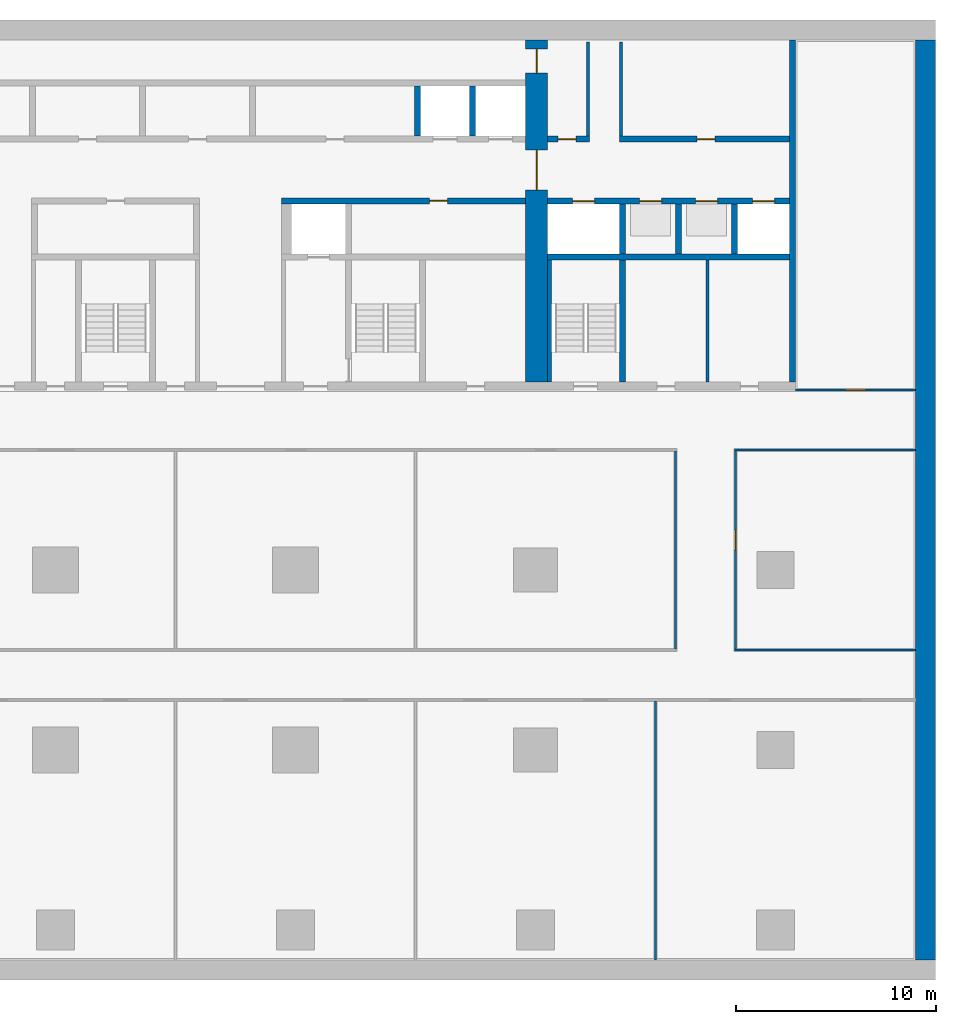
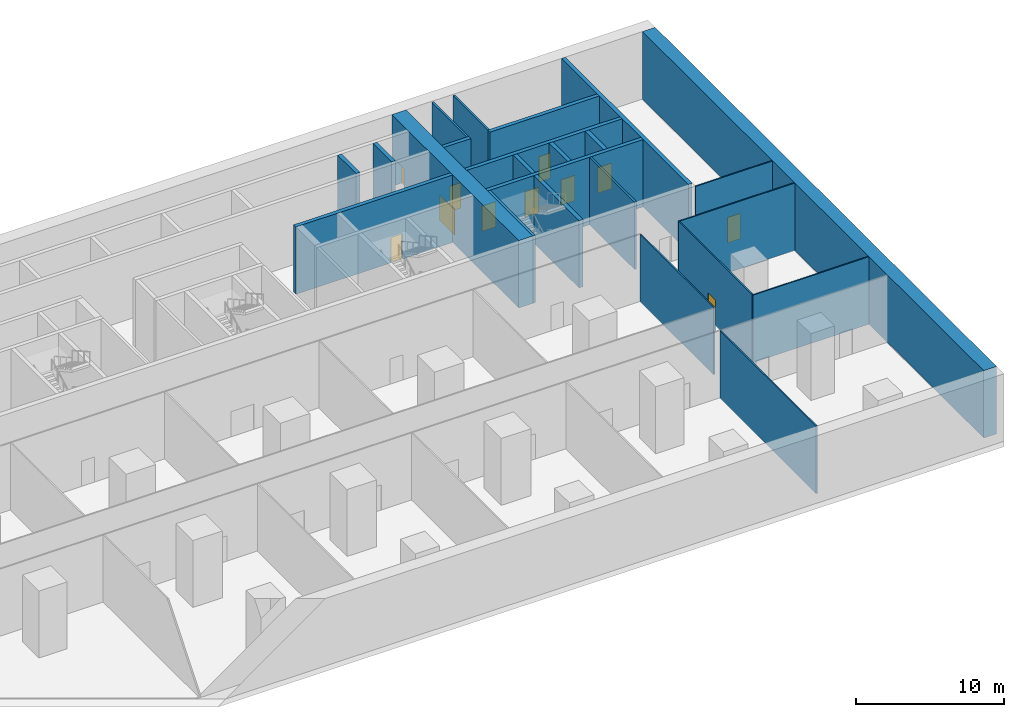
# One storey, part 6 of 10: 24 walls, 11 doors, 11 openings.
"""IFC4 building model written with IfcOpenShell, lengths in metres."""

from ifc_helpers import new_model, si_unit, direction, frame, frame_2d, origin, place, context, subcontext, project, spatial, rectangle, extrude, material, layer, layer_set, type_object, element, fill, save


model = new_model("IFC4")

# Units and contexts
model_context = context("Model", 3, precision=1e-05, world=origin(), true_north=direction((0.0, 1.0)))
body_context = subcontext(model_context, "Body", "Model", "MODEL_VIEW")
ifc_project = project(units=[si_unit("LENGTHUNIT", "METRE"), si_unit("AREAUNIT", "SQUARE_METRE"), si_unit("VOLUMEUNIT", "CUBIC_METRE"), si_unit("PLANEANGLEUNIT", "RADIAN"), si_unit("MASSUNIT", "GRAM", prefix="KILO")], contexts=[model_context])

# Site, building, storey
site_placement = place(None, origin())
site = spatial("IfcSite", under=ifc_project, at=site_placement, CompositionType="ELEMENT")
building_placement = place(site_placement, origin())
building = spatial("IfcBuilding", under=site, at=building_placement, Name="Calvaro Tower", CompositionType="ELEMENT")
storey_placement = place(building_placement, frame((0.0, 0.0, -6.0)))
storey = spatial("IfcBuildingStorey", under=building, at=storey_placement, Name="B1", CompositionType="ELEMENT", Elevation=-6.0)

# Walls
ifc_material_1 = material(Name="Blockwork partition", Category="masonry")
ifc_layer_1 = layer(ifc_material_1, 0.14990234375)
ifc_layer_set_1 = layer_set([ifc_layer_1], Name="Blockwork partition")
wall_type_1 = type_object("IfcWallType", Name="Core partition 150 EI 60", PredefinedType="PARTITIONING", material=ifc_layer_set_1)
wall_1_placement = place(storey_placement, frame((68.60009765625, 28.39990234375, 0.0), z_axis=(0.0, 0.0, 1.0), x_axis=(0.0, 1.0, 0.0)))
element("IfcWall", 1, at=wall_1_placement, inside=storey, type_object=wall_type_1, Name="Core partition", PredefinedType="PARTITIONING", context=body_context, shape_type="SweptSolid", body=[
    extrude(rectangle(XDim=6.10009765625, YDim=0.14990234375, at=frame_2d((3.050048828125, 0.0))), origin(), (0.0, 0.0, 1.0), 5.550048828125),
])
ifc_material_2 = material(Name="Blockwork partition", Category="masonry")
ifc_layer_2 = layer(ifc_material_2, 0.14990234375)
ifc_layer_set_2 = layer_set([ifc_layer_2], Name="Blockwork partition")
wall_type_2 = type_object("IfcWallType", Name="Core partition 150 REI 120", PredefinedType="PARTITIONING", material=ifc_layer_set_2)
for number, where, z_axis, x_axis, name in (
    (2, (62.625, 40.699951171875, 0.0), (0.0, 0.0, 1.0), (0.0, 1.0, 0.0), "Core partition"),
    (3, (64.27490234375, 40.699951171875, 0.0), (0.0, 0.0, 1.0), (0.0, 1.0, 0.0), "Core partition"),
):
    element("IfcWall", number, at=place(storey_placement, frame(where, z_axis=z_axis, x_axis=x_axis)), inside=storey, type_object=wall_type_2, Name=name, PredefinedType="PARTITIONING", context=body_context, shape_type="SweptSolid", body=[
        extrude(rectangle(XDim=4.699951171875, YDim=0.14990234375, at=frame_2d((2.35009765625, 0.0))), origin(), (0.0, 0.0, 1.0), 5.550048828125),
    ])

# Wall, opening, door
ifc_material_3 = material(Name="Blockwork partition", Category="masonry")
ifc_layer_3 = layer(ifc_material_3, 0.300048828125)
ifc_layer_set_3 = layer_set([ifc_layer_3], Name="Blockwork partition")
wall_type_3 = type_object("IfcWallType", Name="Core partition 300 REI 120", PredefinedType="PARTITIONING", material=ifc_layer_set_3)
wall_2_placement = place(storey_placement, frame((60.60009765625, 40.550048828125, 0.0), z_axis=(0.0, 0.0, 1.0), x_axis=(1.0, 0.0, 0.0)))
wall_2 = element("IfcWall", 4, at=wall_2_placement, inside=storey, type_object=wall_type_3, Name="Core partition", PredefinedType="PARTITIONING", context=body_context, shape_type="SweptSolid", body=[
    extrude(rectangle(XDim=2.099853515625, YDim=0.300048828125, at=frame_2d((1.0498046875, 0.0))), origin(), (0.0, 0.0, 1.0), 5.550048828125),
])
opening_1_placement = place(wall_2_placement, frame((0.52490234375, 0.0, 0.0)))
opening_1 = element("IfcOpeningElement", 5, at=opening_1_placement, cuts=wall_2, Name="Opening RD9E", PredefinedType="OPENING", context=body_context, shape_type="SweptSolid", body=[
    extrude(rectangle(XDim=0.89990234375, YDim=2.10009765625, at=frame_2d((0.449951171875, 1.050048828125))), frame((0.0, 0.159912109375, 0.0), z_axis=(0.0, -1.0, 0.0), x_axis=(1.0, 0.0, 0.0)), (0.0, 0.0, 1.0), 0.320068359375),
])
ifc_material_4 = material(Name="Steel door set", Category="steel")
door_type_1 = type_object("IfcDoorType", Name="Room door 900 FD60", OperationType="SINGLE_SWING_LEFT", PredefinedType="DOOR", material=ifc_material_4)
door_1_placement = place(opening_1_placement, origin())
door_1 = element("IfcDoor", 6, at=door_1_placement, inside=storey, type_object=door_type_1, Name="Room door", OperationType="SINGLE_SWING_RIGHT", OverallHeight=2.10009765625, OverallWidth=0.89990234375, PredefinedType="DOOR", context=body_context, shape_type="SweptSolid", body=[
    extrude(rectangle(XDim=0.89990234375, YDim=2.10009765625, at=frame_2d((0.449951171875, 1.050048828125))), frame((0.0, 0.02490234375, 0.0), z_axis=(0.0, -1.0, 0.0), x_axis=(1.0, 0.0, 0.0)), (0.0, 0.0, 1.0), 0.050048828125),
])
fill(opening_1, door_1)

wall_3_placement = place(storey_placement, frame((64.199951171875, 40.550048828125, 0.0), z_axis=(0.0, 0.0, 1.0), x_axis=(1.0, 0.0, 0.0)))
wall_3 = element("IfcWall", 7, at=wall_3_placement, inside=storey, type_object=wall_type_3, Name="Core partition", PredefinedType="PARTITIONING", context=body_context, shape_type="SweptSolid", body=[
    extrude(rectangle(XDim=8.5, YDim=0.300048828125, at=frame_2d((4.25, 0.0))), origin(), (0.0, 0.0, 1.0), 5.550048828125),
])
opening_2_placement = place(wall_3_placement, frame((3.875, 0.0, 0.0)))
opening_2 = element("IfcOpeningElement", 8, at=opening_2_placement, cuts=wall_3, Name="Opening RD9E", PredefinedType="OPENING", context=body_context, shape_type="SweptSolid", body=[
    extrude(rectangle(XDim=0.89990234375, YDim=2.10009765625, at=frame_2d((0.449951171875, 1.050048828125))), frame((0.0, 0.159912109375, 0.0), z_axis=(0.0, -1.0, 0.0), x_axis=(1.0, 0.0, 0.0)), (0.0, 0.0, 1.0), 0.320068359375),
])
door_2_placement = place(opening_2_placement, origin())
door_2 = element("IfcDoor", 9, at=door_2_placement, inside=storey, type_object=door_type_1, Name="Room door", OperationType="SINGLE_SWING_RIGHT", OverallHeight=2.10009765625, OverallWidth=0.89990234375, PredefinedType="DOOR", context=body_context, shape_type="SweptSolid", body=[
    extrude(rectangle(XDim=0.89990234375, YDim=2.10009765625, at=frame_2d((0.449951171875, 1.050048828125))), frame((0.0, 0.02490234375, 0.0), z_axis=(0.0, -1.0, 0.0), x_axis=(1.0, 0.0, 0.0)), (0.0, 0.0, 1.0), 0.050048828125),
])
fill(opening_2, door_2)

# Wall, openings, doors
ifc_material_5 = material(Name="Concrete C80/95", Category="concrete")
ifc_layer_4 = layer(ifc_material_5, 1.10009765625)
ifc_layer_set_4 = layer_set([ifc_layer_4], Name="Concrete C80/95")
wall_type_4 = type_object("IfcWallType", Name="Core wall C80/95 1100", PredefinedType="SHEAR", material=ifc_layer_set_4)
wall_4_placement = place(storey_placement, frame((60.050048828125, 28.39990234375, 0.0), z_axis=(0.0, 0.0, 1.0), x_axis=(0.0, 1.0, 0.0)))
wall_4 = element("IfcWall", 10, at=wall_4_placement, inside=storey, type_object=wall_type_4, Name="Core wall, cross shear wall", PredefinedType="SHEAR", context=body_context, shape_type="SweptSolid", body=[
    extrude(rectangle(XDim=17.10009765625, YDim=1.10009765625, at=frame_2d((8.550048828125, 0.0))), origin(), (0.0, 0.0, 1.0), 5.550048828125),
])
opening_3_placement = place(wall_4_placement, frame((9.60009765625, 0.0, 0.0)))
opening_3 = element("IfcOpeningElement", 11, at=opening_3_placement, cuts=wall_4, Name="Opening DD20D", PredefinedType="OPENING", context=body_context, shape_type="SweptSolid", body=[
    extrude(rectangle(XDim=2.0, YDim=2.10009765625, at=frame_2d((1.0, 1.050048828125))), frame((0.0, 0.56005859375, 0.0), z_axis=(0.0, -1.0, 0.0), x_axis=(1.0, 0.0, 0.0)), (0.0, 0.0, 1.0), 1.1201171875),
])
opening_4_placement = place(wall_4_placement, frame((15.449951171875, 0.0, 0.0)))
opening_4 = element("IfcOpeningElement", 12, at=opening_4_placement, cuts=wall_4, Name="Opening FD12C", PredefinedType="OPENING", context=body_context, shape_type="SweptSolid", body=[
    extrude(rectangle(XDim=1.199951171875, YDim=2.10009765625, at=frame_2d((0.60009765625, 1.050048828125))), frame((0.0, 0.56005859375, 0.0), z_axis=(0.0, -1.0, 0.0), x_axis=(1.0, 0.0, 0.0)), (0.0, 0.0, 1.0), 1.1201171875),
])
ifc_material_6 = material(Name="Steel door set", Category="steel")
door_type_2 = type_object("IfcDoorType", Name="Fire door 1200 FD30", OperationType="SINGLE_SWING_LEFT", PredefinedType="DOOR", material=ifc_material_6)
door_3_placement = place(opening_4_placement, origin())
door_3 = element("IfcDoor", 13, at=door_3_placement, inside=storey, type_object=door_type_2, Name="Fire door", OperationType="SINGLE_SWING_RIGHT", OverallHeight=2.10009765625, OverallWidth=1.199951171875, PredefinedType="DOOR", context=body_context, shape_type="SweptSolid", body=[
    extrude(rectangle(XDim=1.199951171875, YDim=2.10009765625, at=frame_2d((0.60009765625, 1.050048828125))), frame((0.0, 0.02490234375, 0.0), z_axis=(0.0, -1.0, 0.0), x_axis=(1.0, 0.0, 0.0)), (0.0, 0.0, 1.0), 0.050048828125),
])
fill(opening_4, door_3)
ifc_material_7 = material(Name="Steel door set", Category="steel")
door_type_3 = type_object("IfcDoorType", Name="Lobby double door 2000 FD30S", OperationType="DOUBLE_DOOR_SINGLE_SWING", PredefinedType="DOOR", material=ifc_material_7)
door_4_placement = place(opening_3_placement, origin())
door_4 = element("IfcDoor", 14, at=door_4_placement, inside=storey, type_object=door_type_3, Name="Lobby double door", OperationType="DOUBLE_DOOR_SINGLE_SWING", OverallHeight=2.10009765625, OverallWidth=2.0, PredefinedType="DOOR", context=body_context, shape_type="SweptSolid", body=[
    extrude(rectangle(XDim=2.0, YDim=2.10009765625, at=frame_2d((1.0, 1.050048828125))), frame((0.0, 0.02490234375, 0.0), z_axis=(0.0, -1.0, 0.0), x_axis=(1.0, 0.0, 0.0)), (0.0, 0.0, 1.0), 0.050048828125),
])
fill(opening_3, door_4)

# Walls
ifc_material_8 = material(Name="Concrete C80/95", Category="concrete")
ifc_layer_5 = layer(ifc_material_8, 0.199951171875)
ifc_layer_set_5 = layer_set([ifc_layer_5], Name="Concrete C80/95")
wall_type_5 = type_object("IfcWallType", Name="Core wall C80/95 200", PredefinedType="SHEAR", material=ifc_layer_set_5)
wall_5_placement = place(storey_placement, frame((60.699951171875, 28.39990234375, 0.0), z_axis=(0.0, 0.0, 1.0), x_axis=(0.0, 1.0, 0.0)))
element("IfcWall", 15, at=wall_5_placement, inside=storey, type_object=wall_type_5, Name="Core wall, stair enclosure", PredefinedType="SHEAR", context=body_context, shape_type="SweptSolid", body=[
    extrude(rectangle(XDim=6.10009765625, YDim=0.199951171875, at=frame_2d((3.050048828125, 0.0))), origin(), (0.0, 0.0, 1.0), 5.550048828125),
])
ifc_material_9 = material(Name="Concrete C80/95", Category="concrete")
ifc_layer_6 = layer(ifc_material_9, 0.300048828125)
ifc_layer_set_6 = layer_set([ifc_layer_6], Name="Concrete C80/95")
wall_type_6 = type_object("IfcWallType", Name="Core wall C80/95 300", PredefinedType="SHEAR", material=ifc_layer_set_6)
wall_6_placement = place(storey_placement, frame((72.85009765625, 28.39990234375, 0.0), z_axis=(0.0, 0.0, 1.0), x_axis=(0.0, 1.0, 0.0)))
element("IfcWall", 16, at=wall_6_placement, inside=storey, type_object=wall_type_6, Name="Core wall, boundary", PredefinedType="SHEAR", context=body_context, shape_type="SweptSolid", body=[
    extrude(rectangle(XDim=17.10009765625, YDim=0.300048828125, at=frame_2d((8.550048828125, 0.0))), origin(), (0.0, 0.0, 1.0), 5.550048828125),
])
wall_7_placement = place(storey_placement, frame((64.35009765625, 34.800048828125, 0.0), z_axis=(0.0, 0.0, 1.0), x_axis=(0.0, 1.0, 0.0)))
element("IfcWall", 17, at=wall_7_placement, inside=storey, type_object=wall_type_6, Name="Core wall, lift shaft", PredefinedType="SHEAR", context=body_context, shape_type="SweptSolid", body=[
    extrude(rectangle(XDim=2.5, YDim=0.300048828125, at=frame_2d((1.25, 0.0))), origin(), (0.0, 0.0, 1.0), 5.550048828125),
])
wall_8_placement = place(storey_placement, frame((64.35009765625, 28.39990234375, 0.0), z_axis=(0.0, 0.0, 1.0), x_axis=(0.0, 1.0, 0.0)))
element("IfcWall", 18, at=wall_8_placement, inside=storey, type_object=wall_type_6, Name="Core wall, stair enclosure", PredefinedType="SHEAR", context=body_context, shape_type="SweptSolid", body=[
    extrude(rectangle(XDim=6.10009765625, YDim=0.300048828125, at=frame_2d((3.050048828125, 0.0))), origin(), (0.0, 0.0, 1.0), 5.550048828125),
])
wall_9_placement = place(storey_placement, frame((60.60009765625, 34.64990234375, 0.0), z_axis=(0.0, 0.0, 1.0), x_axis=(1.0, 0.0, 0.0)))
element("IfcWall", 19, at=wall_9_placement, inside=storey, type_object=wall_type_6, Name="Core wall, lift shaft", PredefinedType="SHEAR", context=body_context, shape_type="SweptSolid", body=[
    extrude(rectangle(XDim=12.099853515625, YDim=0.300048828125, at=frame_2d((6.0498046875, 0.0))), origin(), (0.0, 0.0, 1.0), 5.550048828125),
])

# Wall, opening, door
wall_10_placement = place(storey_placement, frame((59.5, 37.449951171875, 0.0), z_axis=(0.0, 0.0, 1.0), x_axis=(-1.0, 0.0, 0.0)))
wall_10 = element("IfcWall", 20, at=wall_10_placement, inside=storey, type_object=wall_type_6, Name="Core wall, bay", PredefinedType="SHEAR", context=body_context, shape_type="SweptSolid", body=[
    extrude(rectangle(XDim=12.199951171875, YDim=0.300048828125, at=frame_2d((6.10009765625, 0.0))), origin(), (0.0, 0.0, 1.0), 5.550048828125),
])
opening_5_placement = place(wall_10_placement, frame((3.89990234375, 0.0, 0.0)))
opening_5 = element("IfcOpeningElement", 21, at=opening_5_placement, cuts=wall_10, Name="Opening RD9E", PredefinedType="OPENING", context=body_context, shape_type="SweptSolid", body=[
    extrude(rectangle(XDim=0.89990234375, YDim=2.10009765625, at=frame_2d((0.449951171875, 1.050048828125))), frame((0.0, 0.159912109375, 0.0), z_axis=(0.0, -1.0, 0.0), x_axis=(1.0, 0.0, 0.0)), (0.0, 0.0, 1.0), 0.320068359375),
])
door_5_placement = place(opening_5_placement, origin())
door_5 = element("IfcDoor", 22, at=door_5_placement, inside=storey, type_object=door_type_1, Name="Room door", OperationType="SINGLE_SWING_RIGHT", OverallHeight=2.10009765625, OverallWidth=0.89990234375, PredefinedType="DOOR", context=body_context, shape_type="SweptSolid", body=[
    extrude(rectangle(XDim=0.89990234375, YDim=2.10009765625, at=frame_2d((0.449951171875, 1.050048828125))), frame((0.0, 0.02490234375, 0.0), z_axis=(0.0, -1.0, 0.0), x_axis=(1.0, 0.0, 0.0)), (0.0, 0.0, 1.0), 0.050048828125),
])
fill(opening_5, door_5)

# Wall, openings, doors
wall_11_placement = place(storey_placement, frame((60.60009765625, 37.449951171875, 0.0), z_axis=(0.0, 0.0, 1.0), x_axis=(1.0, 0.0, 0.0)))
wall_11 = element("IfcWall", 23, at=wall_11_placement, inside=storey, type_object=wall_type_6, Name="Core wall, lift shaft", PredefinedType="SHEAR", context=body_context, shape_type="SweptSolid", body=[
    extrude(rectangle(XDim=12.099853515625, YDim=0.300048828125, at=frame_2d((6.0498046875, 0.0))), origin(), (0.0, 0.0, 1.0), 5.550048828125),
])
opening_6_placement = place(wall_11_placement, frame((1.25, 0.0, 0.0)))
opening_6 = element("IfcOpeningElement", 24, at=opening_6_placement, cuts=wall_11, Name="Opening FF3", PredefinedType="OPENING", context=body_context, shape_type="SweptSolid", body=[
    extrude(rectangle(XDim=1.10009765625, YDim=2.10009765625, at=frame_2d((0.550048828125, 1.050048828125))), frame((0.0, 0.159912109375, 0.0), z_axis=(0.0, -1.0, 0.0), x_axis=(1.0, 0.0, 0.0)), (0.0, 0.0, 1.0), 0.320068359375),
])
opening_7_placement = place(wall_11_placement, frame((4.60009765625, 0.0, 0.0)))
opening_7 = element("IfcOpeningElement", 25, at=opening_7_placement, cuts=wall_11, Name="Opening PD1", PredefinedType="OPENING", context=body_context, shape_type="SweptSolid", body=[
    extrude(rectangle(XDim=1.10009765625, YDim=2.10009765625, at=frame_2d((0.550048828125, 1.050048828125))), frame((0.0, 0.159912109375, 0.0), z_axis=(0.0, -1.0, 0.0), x_axis=(1.0, 0.0, 0.0)), (0.0, 0.0, 1.0), 0.320068359375),
])
opening_8_placement = place(wall_11_placement, frame((7.39990234375, 0.0, 0.0)))
opening_8 = element("IfcOpeningElement", 26, at=opening_8_placement, cuts=wall_11, Name="Opening PD2", PredefinedType="OPENING", context=body_context, shape_type="SweptSolid", body=[
    extrude(rectangle(XDim=1.10009765625, YDim=2.10009765625, at=frame_2d((0.550048828125, 1.050048828125))), frame((0.0, 0.159912109375, 0.0), z_axis=(0.0, -1.0, 0.0), x_axis=(1.0, 0.0, 0.0)), (0.0, 0.0, 1.0), 0.320068359375),
])
opening_9_placement = place(wall_11_placement, frame((10.25, 0.0, 0.0)))
opening_9 = element("IfcOpeningElement", 27, at=opening_9_placement, cuts=wall_11, Name="Opening CY1", PredefinedType="OPENING", context=body_context, shape_type="SweptSolid", body=[
    extrude(rectangle(XDim=1.10009765625, YDim=2.10009765625, at=frame_2d((0.550048828125, 1.050048828125))), frame((0.0, 0.159912109375, 0.0), z_axis=(0.0, -1.0, 0.0), x_axis=(1.0, 0.0, 0.0)), (0.0, 0.0, 1.0), 0.320068359375),
])
ifc_material_10 = material(Name="Stainless steel", Category="steel")
door_type_4 = type_object("IfcDoorType", Name="Landing door 1100 E 60", OperationType="SLIDING_TO_LEFT", PredefinedType="DOOR", material=ifc_material_10)
door_6_placement = place(opening_6_placement, origin())
door_6 = element("IfcDoor", 28, at=door_6_placement, inside=storey, type_object=door_type_4, Name="Landing door FF3", OperationType="SLIDING_TO_LEFT", OverallHeight=2.10009765625, OverallWidth=1.10009765625, PredefinedType="DOOR", context=body_context, shape_type="SweptSolid", body=[
    extrude(rectangle(XDim=1.10009765625, YDim=2.10009765625, at=frame_2d((0.550048828125, 1.050048828125))), frame((0.0, 0.02490234375, 0.0), z_axis=(0.0, -1.0, 0.0), x_axis=(1.0, 0.0, 0.0)), (0.0, 0.0, 1.0), 0.050048828125),
])
fill(opening_6, door_6)
door_7_placement = place(opening_7_placement, origin())
door_7 = element("IfcDoor", 29, at=door_7_placement, inside=storey, type_object=door_type_4, Name="Landing door PD1", OperationType="SLIDING_TO_LEFT", OverallHeight=2.10009765625, OverallWidth=1.10009765625, PredefinedType="DOOR", context=body_context, shape_type="SweptSolid", body=[
    extrude(rectangle(XDim=1.10009765625, YDim=2.10009765625, at=frame_2d((0.550048828125, 1.050048828125))), frame((0.0, 0.02490234375, 0.0), z_axis=(0.0, -1.0, 0.0), x_axis=(1.0, 0.0, 0.0)), (0.0, 0.0, 1.0), 0.050048828125),
])
fill(opening_7, door_7)
door_8_placement = place(opening_8_placement, origin())
door_8 = element("IfcDoor", 30, at=door_8_placement, inside=storey, type_object=door_type_4, Name="Landing door PD2", OperationType="SLIDING_TO_LEFT", OverallHeight=2.10009765625, OverallWidth=1.10009765625, PredefinedType="DOOR", context=body_context, shape_type="SweptSolid", body=[
    extrude(rectangle(XDim=1.10009765625, YDim=2.10009765625, at=frame_2d((0.550048828125, 1.050048828125))), frame((0.0, 0.02490234375, 0.0), z_axis=(0.0, -1.0, 0.0), x_axis=(1.0, 0.0, 0.0)), (0.0, 0.0, 1.0), 0.050048828125),
])
fill(opening_8, door_8)
door_9_placement = place(opening_9_placement, origin())
door_9 = element("IfcDoor", 31, at=door_9_placement, inside=storey, type_object=door_type_4, Name="Landing door CY1", OperationType="SLIDING_TO_LEFT", OverallHeight=2.10009765625, OverallWidth=1.10009765625, PredefinedType="DOOR", context=body_context, shape_type="SweptSolid", body=[
    extrude(rectangle(XDim=1.10009765625, YDim=2.10009765625, at=frame_2d((0.550048828125, 1.050048828125))), frame((0.0, 0.02490234375, 0.0), z_axis=(0.0, -1.0, 0.0), x_axis=(1.0, 0.0, 0.0)), (0.0, 0.0, 1.0), 0.050048828125),
])
fill(opening_9, door_9)

# Walls
for number, where, z_axis, x_axis, name in (
    (32, (54.10009765625, 40.699951171875, 0.0), (0.0, 0.0, 1.0), (0.0, 1.0, 0.0), "Core wall, lift shaft"),
    (33, (56.85009765625, 40.699951171875, 0.0), (0.0, 0.0, 1.0), (0.0, 1.0, 0.0), "Core wall, lift shaft"),
    (34, (67.14990234375, 34.800048828125, 0.0), (0.0, 0.0, 1.0), (0.0, 1.0, 0.0), "Core wall, lift shaft"),
    (35, (69.949951171875, 34.800048828125, 0.0), (0.0, 0.0, 1.0), (0.0, 1.0, 0.0), "Core wall, lift shaft"),
):
    element("IfcWall", number, at=place(storey_placement, frame(where, z_axis=z_axis, x_axis=x_axis)), inside=storey, type_object=wall_type_6, Name=name, PredefinedType="SHEAR", context=body_context, shape_type="SweptSolid", body=[
        extrude(rectangle(XDim=2.5, YDim=0.300048828125, at=frame_2d((1.25, 0.0))), origin(), (0.0, 0.0, 1.0), 5.550048828125),
    ])
ifc_material_11 = material(Name="Plasterboard on steel studs", Category="steel")
ifc_layer_7 = layer(ifc_material_11, 0.10009765625)
ifc_layer_set_7 = layer_set([ifc_layer_7], Name="Plasterboard on steel studs")
wall_type_7 = type_object("IfcWallType", Name="Partition 100 EI 60", PredefinedType="PARTITIONING", material=ifc_layer_set_7)
for number, where, z_axis, x_axis, name in (
    (36, (69.949951171875, 15.0, 0.0), (0.0, 0.0, 1.0), (1.0, 0.0, 0.0), "Partition T02.W004"),
    (37, (69.949951171875, 25.0, 0.0), (0.0, 0.0, 1.0), (1.0, 0.0, 0.0), "Partition T02.W007"),
):
    element("IfcWall", number, at=place(storey_placement, frame(where, z_axis=z_axis, x_axis=x_axis)), inside=storey, type_object=wall_type_7, Name=name, PredefinedType="PARTITIONING", context=body_context, shape_type="SweptSolid", body=[
        extrude(rectangle(XDim=9.050048828125, YDim=0.10009765625, at=frame_2d((4.52490234375, 0.0))), origin(), (0.0, 0.0, 1.0), 5.550048828125),
    ])

# Wall, opening, door
wall_12_placement = place(storey_placement, frame((73.0, 28.0, 0.0), z_axis=(0.0, 0.0, 1.0), x_axis=(1.0, 0.0, 0.0)))
wall_12 = element("IfcWall", 38, at=wall_12_placement, inside=storey, type_object=wall_type_7, Name="Partition T02.W009", PredefinedType="PARTITIONING", context=body_context, shape_type="SweptSolid", body=[
    extrude(rectangle(XDim=6.0, YDim=0.10009765625, at=frame_2d((3.0, 0.0))), origin(), (0.0, 0.0, 1.0), 5.550048828125),
])
opening_10_placement = place(wall_12_placement, frame((2.5, 0.0, 0.0)))
opening_10 = element("IfcOpeningElement", 39, at=opening_10_placement, cuts=wall_12, Name="Opening T02.021", PredefinedType="OPENING", context=body_context, shape_type="SweptSolid", body=[
    extrude(rectangle(XDim=1.0, YDim=2.10009765625, at=frame_2d((0.5, 1.050048828125))), frame((0.0, 0.06005859375, 0.0), z_axis=(0.0, -1.0, 0.0), x_axis=(1.0, 0.0, 0.0)), (0.0, 0.0, 1.0), 0.1201171875),
])
ifc_material_12 = material(Name="Timber", Category="wood")
door_type_5 = type_object("IfcDoorType", Name="Internal single door 1000 x 2100 FD30", OperationType="SINGLE_SWING_LEFT", PredefinedType="DOOR", material=ifc_material_12)
door_10_placement = place(opening_10_placement, origin())
door_10 = element("IfcDoor", 40, at=door_10_placement, inside=storey, type_object=door_type_5, Name="Door T02.021", OperationType="SINGLE_SWING_LEFT", OverallHeight=2.10009765625, OverallWidth=1.0, PredefinedType="DOOR", context=body_context, shape_type="SweptSolid", body=[
    extrude(rectangle(XDim=1.0, YDim=2.10009765625, at=frame_2d((0.5, 1.050048828125))), frame((0.0, 0.02490234375, 0.0), z_axis=(0.0, -1.0, 0.0), x_axis=(1.0, 0.0, 0.0)), (0.0, 0.0, 1.0), 0.050048828125),
])
fill(opening_10, door_10)

# Wall
wall_13_placement = place(storey_placement, frame((66.0, -0.5, 0.0), z_axis=(0.0, 0.0, 1.0), x_axis=(0.0, 1.0, 0.0)))
element("IfcWall", 41, at=wall_13_placement, inside=storey, type_object=wall_type_7, Name="Partition T02.W021", PredefinedType="PARTITIONING", context=body_context, shape_type="SweptSolid", body=[
    extrude(rectangle(XDim=12.949951171875, YDim=0.10009765625, at=frame_2d((6.47509765625, 0.0))), origin(), (0.0, 0.0, 1.0), 5.550048828125),
])

# Wall, opening, door
wall_14_placement = place(storey_placement, frame((70.0, 15.050048828125, 0.0), z_axis=(0.0, 0.0, 1.0), x_axis=(0.0, 1.0, 0.0)))
wall_14 = element("IfcWall", 42, at=wall_14_placement, inside=storey, type_object=wall_type_7, Name="Partition T02.W023", PredefinedType="PARTITIONING", context=body_context, shape_type="SweptSolid", body=[
    extrude(rectangle(XDim=9.89990234375, YDim=0.10009765625, at=frame_2d((4.949951171875, 0.0))), origin(), (0.0, 0.0, 1.0), 5.550048828125),
])
opening_11_placement = place(wall_14_placement, frame((4.949951171875, 0.0, 0.0)))
opening_11 = element("IfcOpeningElement", 43, at=opening_11_placement, cuts=wall_14, Name="Opening T02.019", PredefinedType="OPENING", context=body_context, shape_type="SweptSolid", body=[
    extrude(rectangle(XDim=1.0, YDim=2.10009765625, at=frame_2d((0.5, 1.050048828125))), frame((0.0, 0.06005859375, 0.0), z_axis=(0.0, -1.0, 0.0), x_axis=(1.0, 0.0, 0.0)), (0.0, 0.0, 1.0), 0.1201171875),
])
door_11_placement = place(opening_11_placement, origin())
door_11 = element("IfcDoor", 44, at=door_11_placement, inside=storey, type_object=door_type_5, Name="Door T02.019", OperationType="SINGLE_SWING_RIGHT", OverallHeight=2.10009765625, OverallWidth=1.0, PredefinedType="DOOR", context=body_context, shape_type="SweptSolid", body=[
    extrude(rectangle(XDim=1.0, YDim=2.10009765625, at=frame_2d((0.5, 1.050048828125))), frame((0.0, 0.02490234375, 0.0), z_axis=(0.0, -1.0, 0.0), x_axis=(1.0, 0.0, 0.0)), (0.0, 0.0, 1.0), 0.050048828125),
])
fill(opening_11, door_11)

# Walls
ifc_material_13 = material(Name="Plasterboard on steel studs", Category="steel")
ifc_layer_8 = layer(ifc_material_13, 0.10009765625)
ifc_layer_set_8 = layer_set([ifc_layer_8], Name="Plasterboard on steel studs")
wall_type_8 = type_object("IfcWallType", Name="Partition 100 REI 120", PredefinedType="PARTITIONING", material=ifc_layer_set_8)
wall_15_placement = place(storey_placement, frame((67.0, 15.050048828125, 0.0), z_axis=(0.0, 0.0, 1.0), x_axis=(0.0, 1.0, 0.0)))
element("IfcWall", 45, at=wall_15_placement, inside=storey, type_object=wall_type_8, Name="Partition T02.W022", PredefinedType="PARTITIONING", context=body_context, shape_type="SweptSolid", body=[
    extrude(rectangle(XDim=9.89990234375, YDim=0.10009765625, at=frame_2d((4.949951171875, 0.0))), origin(), (0.0, 0.0, 1.0), 5.550048828125),
])
ifc_material_14 = material(Name="Concrete C32/40", Category="concrete")
ifc_layer_9 = layer(ifc_material_14, 1.0)
ifc_layer_set_9 = layer_set([ifc_layer_9], Name="Concrete C32/40")
wall_type_9 = type_object("IfcWallType", Name="Retaining wall 1000 C32/40", PredefinedType="SOLIDWALL", material=ifc_layer_set_9)
wall_16_placement = place(storey_placement, frame((79.5, -0.5, 0.0), z_axis=(0.0, 0.0, 1.0), x_axis=(0.0, 1.0, 0.0)))
element("IfcWall", 46, at=wall_16_placement, inside=storey, type_object=wall_type_9, Name="Basement wall", PredefinedType="SOLIDWALL", context=body_context, shape_type="SweptSolid", body=[
    extrude(rectangle(XDim=46.0, YDim=1.0, at=frame_2d((23.0, 0.0))), origin(), (0.0, 0.0, 1.0), 5.550048828125),
])

save(model, "model.ifc")
